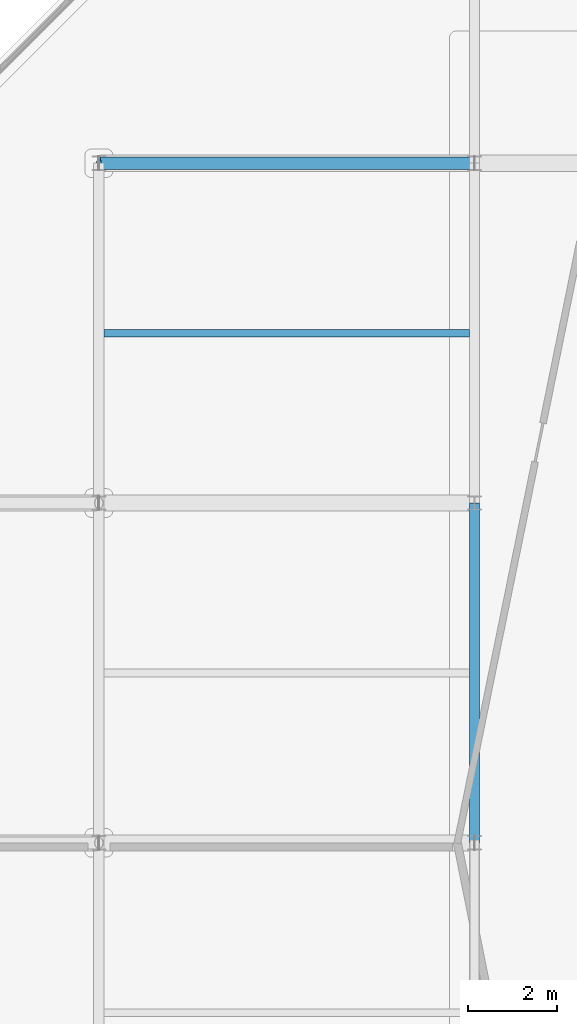
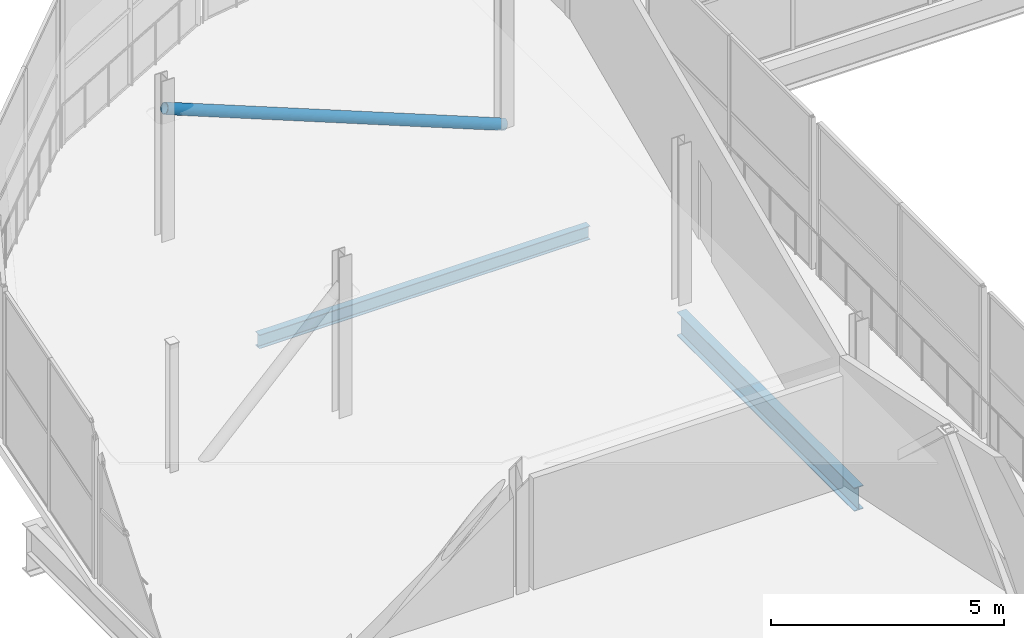
# One storey, part 54 of 151: 2 beams, 1 member.
"""IFC4 building model written with IfcOpenShell, lengths in metres."""

from ifc_helpers import new_model, si_unit, direction, frame, origin, origin_2d, place, context, subcontext, project, spatial, hollow_circle, i_section, extrude, material, material_profile, profile_set, type_object, element, save


model = new_model("IFC4")

# Units and contexts
model_context = context("Model", 3, precision=1e-05, world=origin(), true_north=direction((0.0, 1.0)))
body_context = subcontext(model_context, "Body", "Model", "MODEL_VIEW")
ifc_project = project(units=[si_unit("LENGTHUNIT", "METRE"), si_unit("AREAUNIT", "SQUARE_METRE"), si_unit("VOLUMEUNIT", "CUBIC_METRE"), si_unit("PLANEANGLEUNIT", "RADIAN"), si_unit("MASSUNIT", "GRAM", prefix="KILO")], contexts=[model_context])

# Site, building, storey
site_placement = place(None, origin())
site = spatial("IfcSite", under=ifc_project, at=site_placement, CompositionType="ELEMENT")
building_placement = place(site_placement, origin())
building = spatial("IfcBuilding", under=site, at=building_placement, Name="Zuvorla Pavilion Media Centre", CompositionType="ELEMENT")
storey_placement = place(building_placement, frame((0.0, 0.0, 13.800048828125)))
storey = spatial("IfcBuildingStorey", under=building, at=storey_placement, Name="L03", CompositionType="ELEMENT", Elevation=13.800048828125)

# Beams
ifc_material = material(Name="Steel S355", Category="steel")
ifc_material_profile_1 = material_profile(ifc_material, i_section(OverallWidth=0.172119140625, OverallDepth=0.35791015625, WebThickness=0.008056640625, FlangeThickness=0.012939453125, FilletRadius=0.01025390625, at=origin_2d()), Name="UB 356x171x57")
ifc_profile_set_1 = profile_set([ifc_material_profile_1], Name="Steel S355")
beam_type_1 = type_object("IfcBeamType", Name="BM-UB356", PredefinedType="JOIST", material=ifc_profile_set_1)
beam_1_placement = place(storey_placement, frame((16.509521484375, 78.199951171875, -0.43701171875), z_axis=(1.0, 0.0, 0.0), x_axis=(0.0, 1.0, 0.0)))
element("IfcBeam", 1, at=beam_1_placement, inside=storey, type_object=beam_type_1, Name="L03 joist J03 1235", PredefinedType="JOIST", context=body_context, shape_type="SweptSolid", body=[
    extrude(i_section(OverallWidth=0.172119140625, OverallDepth=0.35791015625, WebThickness=0.008056640625, FlangeThickness=0.012939453125, FilletRadius=0.01025390625, at=origin_2d()), origin(), (0.0, 0.0, 1.0), 8.180908203125),
])
ifc_material_profile_2 = material_profile(ifc_material, i_section(OverallWidth=0.22900390625, OverallDepth=0.6123046875, WebThickness=0.011962890625, FlangeThickness=0.01953125, FilletRadius=0.0126953125, at=origin_2d()), Name="UB 610x229x125")
ifc_profile_set_2 = profile_set([ifc_material_profile_2], Name="Steel S355")
beam_type_2 = type_object("IfcBeamType", Name="BM-UB610", PredefinedType="BEAM", material=ifc_profile_set_2)
beam_2_placement = place(storey_placement, frame((24.800048828125, 66.800048828125, -0.564208984375), z_axis=(0.0, 1.0, 0.0), x_axis=(-1.0, 0.0, 0.0)))
element("IfcBeam", 2, at=beam_2_placement, inside=storey, type_object=beam_type_2, Name="L03 beam B07 1154", PredefinedType="BEAM", context=body_context, shape_type="SweptSolid", body=[
    extrude(i_section(OverallWidth=0.22900390625, OverallDepth=0.6123046875, WebThickness=0.011962890625, FlangeThickness=0.01953125, FilletRadius=0.0126953125, at=origin_2d()), origin(), (0.0, 0.0, 1.0), 7.599853515625),
])

# Member
ifc_material_profile_3 = material_profile(ifc_material, hollow_circle(Radius=0.136474609375, WallThickness=0.012451171875, at=origin_2d()), Name="CHS 273x12.5")
ifc_profile_set_3 = profile_set([ifc_material_profile_3], Name="Steel S355")
member_type = type_object("IfcMemberType", Name="MEM-BRC-CHS273", PredefinedType="BRACE", material=ifc_profile_set_3)
member_placement = place(storey_placement, frame((24.800048828125, 82.0, 0.0), z_axis=(-0.928484134927, 0.0, 0.371372065709), x_axis=(0.0, -1.0, 0.0)))
element("IfcMember", 3, at=member_placement, inside=storey, type_object=member_type, Name="L03 diagonal brace TB01 31", PredefinedType="BRACE", context=body_context, shape_type="SweptSolid", body=[
    extrude(hollow_circle(Radius=0.136474609375, WallThickness=0.012451171875, at=origin_2d()), origin(), (0.0, 0.0, 1.0), 9.047119140625),
])

save(model, "model.ifc")
